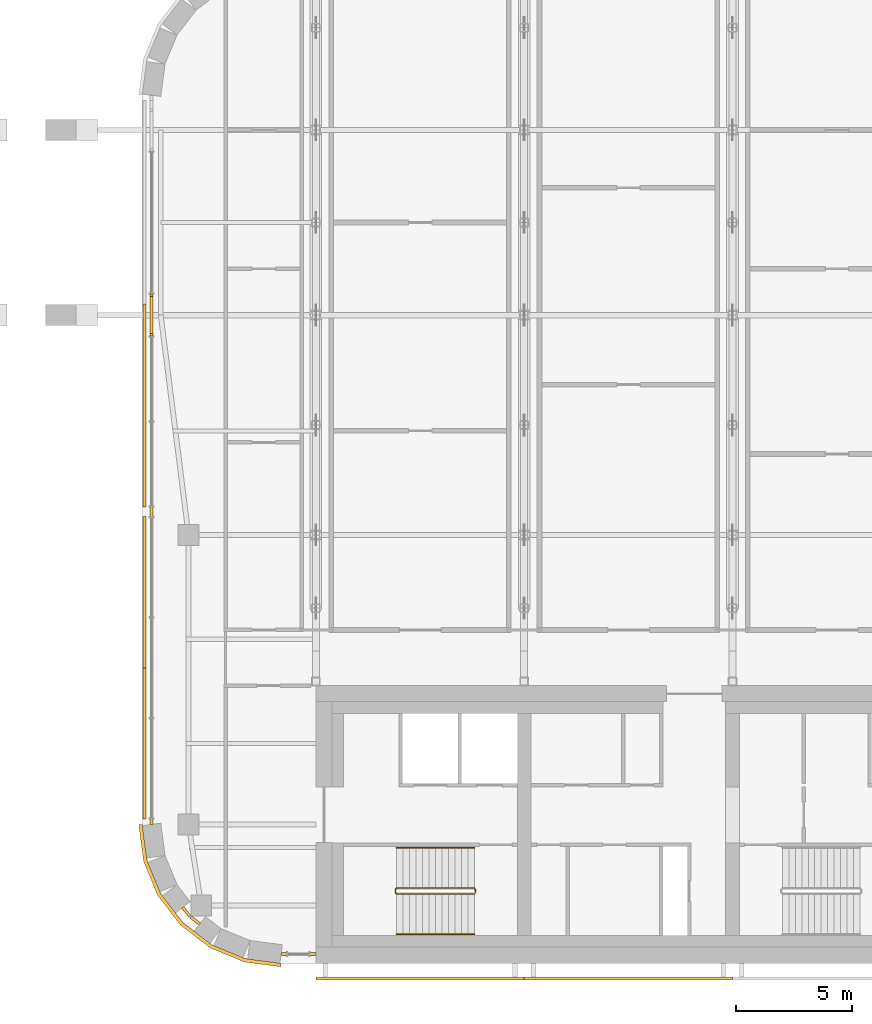
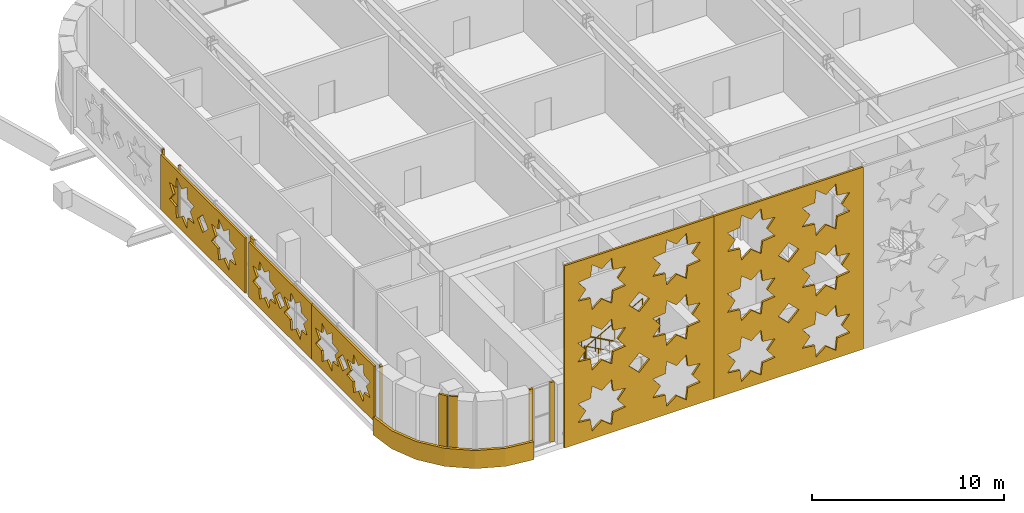
# One storey, part 21 of 26: 15 coverings, 3 railings.
"""IFC4 building model written with IfcOpenShell, lengths in metres."""

from ifc_helpers import new_model, si_unit, direction, frame, origin, origin_2d, place, context, subcontext, project, spatial, polyline, rectangle, circle, outline, extrude, material, layer, layer_set, type_object, element, save


model = new_model("IFC4")

# Units and contexts
model_context = context("Model", 3, precision=1e-05, world=origin(), true_north=direction((0.0, 1.0)))
body_context = subcontext(model_context, "Body", "Model", "MODEL_VIEW")
ifc_project = project(units=[si_unit("LENGTHUNIT", "METRE"), si_unit("AREAUNIT", "SQUARE_METRE"), si_unit("VOLUMEUNIT", "CUBIC_METRE"), si_unit("PLANEANGLEUNIT", "RADIAN"), si_unit("MASSUNIT", "GRAM", prefix="KILO")], contexts=[model_context])

# Site, building, storey
site_placement = place(None, origin())
site = spatial("IfcSite", under=ifc_project, at=site_placement, CompositionType="ELEMENT")
building_placement = place(site_placement, origin())
building = spatial("IfcBuilding", under=site, at=building_placement, Name="Zellij Exchange Tower", CompositionType="ELEMENT")
storey_placement = place(building_placement, frame((0.0, 0.0, 216.5)))
storey = spatial("IfcBuildingStorey", under=building, at=storey_placement, Name="L50", CompositionType="ELEMENT", Elevation=216.5)

# Railings
ifc_material_1 = material(Name="Stainless steel", Category="steel")
railing_type_1 = type_object("IfcRailingType", Name="CORE-RG stair guard", PredefinedType="GUARDRAIL", material=ifc_material_1)
railing_1_placement = place(storey_placement, frame((-20.10009765625, -10.800048828125, 0.0)))
element("IfcRailing", 1, at=railing_1_placement, inside=storey, type_object=railing_type_1, Name="ST1 stair guard L50", PredefinedType="GUARDRAIL", context=body_context, shape_type="SweptSolid", body=[
    extrude(circle(Radius=0.02392578125, at=origin_2d()), frame((0.0, 0.0, 1.076171875), z_axis=(0.0, -1.0, 0.0), x_axis=(1.0, 0.0, 0.0)), (0.0, 0.0, 1.0), 0.14990234375),
    extrude(circle(Radius=0.02392578125, at=origin_2d()), frame((0.0, -0.14990234375, 1.076171875), z_axis=(-0.193691321961, 0.777613689637, 0.598164376644), x_axis=(-0.970351222016, -0.241699205484, 0.0)), (0.0, 0.0, 1.0), 0.257080078125),
    extrude(circle(Radius=0.02392578125, at=origin_2d()), frame((-0.0498046875, 0.050048828125, 1.22998046875), z_axis=(-0.876421534553, 0.0, 0.481544695509), x_axis=(0.0, -1.0, 0.0)), (0.0, 0.0, 1.0), 3.833984375),
    extrude(circle(Radius=0.02392578125, at=origin_2d()), frame((-3.409912109375, 0.050048828125, 3.076171875), z_axis=(-0.707106781187, -0.707106781187, 0.0), x_axis=(0.707106781187, -0.707106781187, 0.0)), (0.0, 0.0, 1.0), 0.07080078125),
    extrude(circle(Radius=0.02392578125, at=origin_2d()), frame((-3.4599609375, 0.0, 3.076171875), z_axis=(0.0, -1.0, 0.0), x_axis=(1.0, 0.0, 0.0)), (0.0, 0.0, 1.0), 0.14990234375),
    extrude(circle(Radius=0.02392578125, at=origin_2d()), frame((-3.4599609375, -0.14990234375, 3.076171875), z_axis=(0.295599637079, -0.295599637079, 0.908428152975), x_axis=(0.707106781187, 0.707106781187, 0.0)), (0.0, 0.0, 1.0), 0.16943359375),
    extrude(circle(Radius=0.02392578125, at=origin_2d()), frame((-3.409912109375, -0.199951171875, 3.22998046875), z_axis=(0.876421534553, 0.0, 0.481544695509), x_axis=(0.0, 1.0, 0.0)), (0.0, 0.0, 1.0), 3.833984375),
    extrude(circle(Radius=0.02099609375, at=origin_2d()), origin(), (0.0, 0.0, 1.0), 1.052001953125),
    extrude(circle(Radius=0.02099609375, at=origin_2d()), frame((0.0, -0.14990234375, 0.0)), (0.0, 0.0, 1.0), 1.052001953125),
    extrude(circle(Radius=0.02099609375, at=origin_2d()), frame((-0.0498046875, 0.050048828125, 0.15380859375)), (0.0, 0.0, 1.0), 1.052001953125),
    extrude(circle(Radius=0.02099609375, at=origin_2d()), frame((-0.889892578125, 0.050048828125, 0.615234375)), (0.0, 0.0, 1.0), 1.052001953125),
    extrude(circle(Radius=0.02099609375, at=origin_2d()), frame((-1.72998046875, 0.050048828125, 1.076904296875)), (0.0, 0.0, 1.0), 1.052001953125),
    extrude(circle(Radius=0.02099609375, at=origin_2d()), frame((-2.56982421875, 0.050048828125, 1.53857421875)), (0.0, 0.0, 1.0), 1.052001953125),
    extrude(circle(Radius=0.02099609375, at=origin_2d()), frame((-3.409912109375, 0.050048828125, 2.0)), (0.0, 0.0, 1.0), 1.052001953125),
    extrude(circle(Radius=0.02099609375, at=origin_2d()), frame((-3.4599609375, 0.0, 2.0)), (0.0, 0.0, 1.0), 1.052001953125),
    extrude(circle(Radius=0.02099609375, at=origin_2d()), frame((-3.4599609375, -0.14990234375, 2.0)), (0.0, 0.0, 1.0), 1.052001953125),
    extrude(circle(Radius=0.02099609375, at=origin_2d()), frame((-3.409912109375, -0.199951171875, 2.15380859375)), (0.0, 0.0, 1.0), 1.052001953125),
    extrude(circle(Radius=0.02099609375, at=origin_2d()), frame((-2.56982421875, -0.199951171875, 2.615234375)), (0.0, 0.0, 1.0), 1.052001953125),
    extrude(circle(Radius=0.02099609375, at=origin_2d()), frame((-1.72998046875, -0.199951171875, 3.076904296875)), (0.0, 0.0, 1.0), 1.052001953125),
    extrude(circle(Radius=0.02099609375, at=origin_2d()), frame((-0.889892578125, -0.199951171875, 3.53857421875)), (0.0, 0.0, 1.0), 1.052001953125),
    extrude(circle(Radius=0.02099609375, at=origin_2d()), frame((-0.0498046875, -0.199951171875, 4.0)), (0.0, 0.0, 1.0), 1.052001953125),
])
railing_type_2 = type_object("IfcRailingType", Name="CORE-RH stair handrail", PredefinedType="HANDRAIL", material=ifc_material_1)
railing_2_placement = place(storey_placement, frame((-20.14990234375, -9.0, 0.15380859375)))
element("IfcRailing", 2, at=railing_2_placement, inside=storey, type_object=railing_type_2, Name="ST1 stair handrail L50", PredefinedType="HANDRAIL", context=body_context, shape_type="SweptSolid", body=[
    extrude(circle(Radius=0.02392578125, at=origin_2d()), frame((0.0, 0.0, 0.8759765625), z_axis=(-0.876421534553, 0.0, 0.481544695509), x_axis=(0.0, -1.0, 0.0)), (0.0, 0.0, 1.0), 3.833984375),
    extrude(circle(Radius=0.02099609375, at=origin_2d()), origin(), (0.0, 0.0, 1.0), 0.851806640625),
    extrude(circle(Radius=0.02099609375, at=origin_2d()), frame((-0.840087890625, 0.0, 0.46142578125)), (0.0, 0.0, 1.0), 0.851806640625),
    extrude(circle(Radius=0.02099609375, at=origin_2d()), frame((-1.68017578125, 0.0, 0.923095703125)), (0.0, 0.0, 1.0), 0.851806640625),
    extrude(circle(Radius=0.02099609375, at=origin_2d()), frame((-2.52001953125, 0.0, 1.384765625)), (0.0, 0.0, 1.0), 0.851806640625),
    extrude(circle(Radius=0.02099609375, at=origin_2d()), frame((-3.360107421875, 0.0, 1.84619140625)), (0.0, 0.0, 1.0), 0.851806640625),
])
railing_3_placement = place(storey_placement, frame((-23.510009765625, -12.75, 2.15380859375)))
element("IfcRailing", 3, at=railing_3_placement, inside=storey, type_object=railing_type_2, Name="ST1 stair handrail L50", PredefinedType="HANDRAIL", context=body_context, shape_type="SweptSolid", body=[
    extrude(circle(Radius=0.02392578125, at=origin_2d()), frame((0.0, 0.0, 0.8759765625), z_axis=(0.876421534553, 0.0, 0.481544695509), x_axis=(0.0, 1.0, 0.0)), (0.0, 0.0, 1.0), 3.833984375),
    extrude(circle(Radius=0.02099609375, at=origin_2d()), origin(), (0.0, 0.0, 1.0), 0.851806640625),
    extrude(circle(Radius=0.02099609375, at=origin_2d()), frame((0.840087890625, 0.0, 0.46142578125)), (0.0, 0.0, 1.0), 0.851806640625),
    extrude(circle(Radius=0.02099609375, at=origin_2d()), frame((1.68017578125, 0.0, 0.923095703125)), (0.0, 0.0, 1.0), 0.851806640625),
    extrude(circle(Radius=0.02099609375, at=origin_2d()), frame((2.52001953125, 0.0, 1.384765625)), (0.0, 0.0, 1.0), 0.851806640625),
    extrude(circle(Radius=0.02099609375, at=origin_2d()), frame((3.360107421875, 0.0, 1.84619140625)), (0.0, 0.0, 1.0), 0.851806640625),
])

# Coverings
ifc_material_2 = material(Name="Limestone cladding", Category="masonry")
ifc_layer_1 = layer(ifc_material_2, 0.14990234375)
ifc_layer_set_1 = layer_set([ifc_layer_1], Name="Limestone cladding")
covering_type_1 = type_object("IfcCoveringType", Name="ENV-CV1 Stone spandrel band 150", PredefinedType="CLADDING", material=ifc_layer_set_1)
covering_1_placement = place(storey_placement, frame((0.0, 0.0, -0.35009765625)))
element("IfcCovering", 4, at=covering_1_placement, inside=storey, type_object=covering_type_1, Name="Stone spandrel band", PredefinedType="CLADDING", context=body_context, shape_type="SweptSolid", body=[
    extrude(outline(polyline([(-34.5, -8.0), (-34.295654296875, -9.552978515625), (-33.6962890625, -11.0), (-32.74267578125, -12.24267578125), (-31.5, -13.1962890625), (-30.052978515625, -13.795654296875), (-28.5, -14.0), (-28.509765625, -14.14990234375), (-30.092041015625, -13.941650390625), (-31.57568359375, -13.3271484375), (-32.849609375, -12.349609375), (-33.8271484375, -11.07568359375), (-34.441650390625, -9.592041015625), (-34.64990234375, -8.009765625), (-34.5, -8.0)])), origin(), (0.0, 0.0, 1.0), 1.150146484375),
])
ifc_layer_2 = layer(ifc_material_2, 0.1201171875)
ifc_layer_set_2 = layer_set([ifc_layer_2], Name="Limestone cladding")
covering_type_2 = type_object("IfcCoveringType", Name="ENV-CV18 Glazing closer 120", PredefinedType="CLADDING", material=ifc_layer_set_2)
covering_2_placement = place(storey_placement, frame((-34.10009765625, 14.0, 0.0), z_axis=(0.0, 0.0, 1.0), x_axis=(0.0, -1.0, 0.0)))
element("IfcCovering", 5, at=covering_2_placement, inside=storey, type_object=covering_type_2, Name="Glazing closer", PredefinedType="CLADDING", context=body_context, shape_type="SweptSolid", body=[
    extrude(rectangle(XDim=1.60009765625, YDim=0.1201171875, at=origin_2d()), origin(), (0.0, 0.0, 1.0), 2.389892578125),
])
for number, where, z_axis, x_axis, name in (
    (6, (-32.59765625, -11.7744140625, 0.0), (0.0, 0.0, 1.0), (0.608809891071, -0.793316151692, 0.0), "Glazing closer"),
    (7, (-32.209228515625, -12.147705078125, 0.0), (0.0, 0.0, 1.0), (-0.793316151692, 0.608809891071, 0.0), "Glazing closer"),
):
    element("IfcCovering", number, at=place(storey_placement, frame(where, z_axis=z_axis, x_axis=x_axis)), inside=storey, type_object=covering_type_2, Name=name, PredefinedType="CLADDING", context=body_context, shape_type="SweptSolid", body=[
        extrude(rectangle(XDim=0.492919921875, YDim=0.1201171875, at=origin_2d()), origin(), (0.0, 0.0, 1.0), 3.800048828125),
    ])
covering_3_placement = place(storey_placement, frame((-34.10009765625, 5.50390625, 0.0), z_axis=(0.0, 0.0, 1.0), x_axis=(0.0, -1.0, 0.0)))
element("IfcCovering", 8, at=covering_3_placement, inside=storey, type_object=covering_type_2, Name="Glazing closer", PredefinedType="CLADDING", context=body_context, shape_type="SweptSolid", body=[
    extrude(rectangle(XDim=0.39990234375, YDim=0.1201171875, at=origin_2d()), origin(), (0.0, 0.0, 1.0), 3.800048828125),
])
covering_4_placement = place(storey_placement, frame((-27.125, -13.60009765625, 0.0), z_axis=(0.0, 0.0, 1.0), x_axis=(1.0, 0.0, 0.0)))
element("IfcCovering", 9, at=covering_4_placement, inside=storey, type_object=covering_type_2, Name="Glazing closer", PredefinedType="CLADDING", context=body_context, shape_type="SweptSolid", body=[
    extrude(rectangle(XDim=0.25, YDim=0.1201171875, at=origin_2d()), origin(), (0.0, 0.0, 1.0), 3.800048828125),
])
for number, where, z_axis, x_axis, name in (
    (10, (-28.383056640625, -13.60009765625, 0.0), (0.0, 0.0, 1.0), (-1.0, 0.0, 0.0), "Glazing closer"),
    (11, (-34.10009765625, -7.883056640625, 0.0), (0.0, 0.0, 1.0), (0.0, -1.0, 0.0), "Glazing closer"),
):
    element("IfcCovering", number, at=place(storey_placement, frame(where, z_axis=z_axis, x_axis=x_axis)), inside=storey, type_object=covering_type_2, Name=name, PredefinedType="CLADDING", context=body_context, shape_type="SweptSolid", body=[
        extrude(rectangle(XDim=0.218505859375, YDim=0.1201171875, at=origin_2d()), origin(), (0.0, 0.0, 1.0), 3.800048828125),
    ])
for number, where, z_axis, x_axis, name in (
    (12, (-34.10009765625, 14.85009765625, 0.0), (0.0, 0.0, 1.0), (0.0, -1.0, 0.0), "Glazing closer"),
    (13, (-34.10009765625, 13.14990234375, 0.0), (0.0, 0.0, 1.0), (0.0, -1.0, 0.0), "Glazing closer"),
):
    element("IfcCovering", number, at=place(storey_placement, frame(where, z_axis=z_axis, x_axis=x_axis)), inside=storey, type_object=covering_type_2, Name=name, PredefinedType="CLADDING", context=body_context, shape_type="SweptSolid", body=[
        extrude(rectangle(XDim=0.10009765625, YDim=0.1201171875, at=origin_2d()), origin(), (0.0, 0.0, 1.0), 3.800048828125),
    ])
ifc_material_3 = material(Name="Limestone screen", Category="masonry")
ifc_layer_3 = layer(ifc_material_3, 0.1201171875)
ifc_layer_set_3 = layer_set([ifc_layer_3], Name="Limestone screen")
covering_type_3 = type_object("IfcCoveringType", Name="ENV-SC1 Pierced stone screen 120", PredefinedType="USERDEFINED", material=ifc_layer_set_3)
covering_5_placement = place(storey_placement, frame((-34.39990234375, 14.48876953125, 0.300048828125), z_axis=(0.0, 0.0, 1.0), x_axis=(0.0, -1.0, 0.0)))
element("IfcCovering", 14, at=covering_5_placement, inside=storey, type_object=covering_type_3, Name="Pierced stone screen", ObjectType="SCREEN", PredefinedType="USERDEFINED", context=body_context, shape_type="SweptSolid", body=[
    extrude(outline(polyline([(0.0, 0.0), (8.784912109375, 0.0), (8.784912109375, 3.5), (0.0, 3.5), (0.0, 0.0)]), holes=[polyline([(3.48974609375, 2.285888671875), (2.81005859375, 2.36376953125), (2.73193359375, 3.04345703125), (2.1962890625, 2.617919921875), (1.660400390625, 3.04345703125), (1.58251953125, 2.36376953125), (0.90283203125, 2.285888671875), (1.328369140625, 1.75), (0.90283203125, 1.214111328125), (1.58251953125, 1.13623046875), (1.660400390625, 0.45654296875), (2.1962890625, 0.882080078125), (2.73193359375, 0.45654296875), (2.81005859375, 1.13623046875), (3.48974609375, 1.214111328125), (3.064208984375, 1.75), (3.48974609375, 2.285888671875)]), polyline([(7.882080078125, 2.285888671875), (7.202392578125, 2.36376953125), (7.12451171875, 3.04345703125), (6.5888671875, 2.617919921875), (6.052978515625, 3.04345703125), (5.97509765625, 2.36376953125), (5.29541015625, 2.285888671875), (5.720703125, 1.75), (5.29541015625, 1.214111328125), (5.97509765625, 1.13623046875), (6.052978515625, 0.45654296875), (6.5888671875, 0.882080078125), (7.12451171875, 0.45654296875), (7.202392578125, 1.13623046875), (7.882080078125, 1.214111328125), (7.456787109375, 1.75), (7.882080078125, 2.285888671875)]), polyline([(4.952392578125, 1.75), (4.392578125, 2.31005859375), (3.83251953125, 1.75), (4.392578125, 1.18994140625), (4.952392578125, 1.75)])]), frame((0.0, 0.06005859375, 0.0), z_axis=(0.0, -1.0, 0.0), x_axis=(1.0, 0.0, 0.0)), (0.0, 0.0, 1.0), 0.1201171875),
])
for number, where, z_axis, x_axis, name in (
    (15, (-34.39990234375, 5.3037109375, 0.300048828125), (0.0, 0.0, 1.0), (0.0, -1.0, 0.0), "Pierced stone screen"),
    (16, (-34.39990234375, -1.235107421875, 0.300048828125), (0.0, 0.0, 1.0), (0.0, -1.0, 0.0), "Pierced stone screen"),
):
    element("IfcCovering", number, at=place(storey_placement, frame(where, z_axis=z_axis, x_axis=x_axis)), inside=storey, type_object=covering_type_3, Name=name, ObjectType="SCREEN", PredefinedType="USERDEFINED", context=body_context, shape_type="SweptSolid", body=[
        extrude(outline(polyline([(0.0, 0.0), (6.538818359375, 0.0), (6.538818359375, 3.5), (0.0, 3.5), (0.0, 0.0)]), holes=[polyline([(2.843017578125, 2.25048828125), (2.2080078125, 2.3232421875), (2.13525390625, 2.958251953125), (1.634765625, 2.560791015625), (1.13427734375, 2.958251953125), (1.061279296875, 2.3232421875), (0.426513671875, 2.25048828125), (0.823974609375, 1.75), (0.426513671875, 1.24951171875), (1.061279296875, 1.1767578125), (1.13427734375, 0.541748046875), (1.634765625, 0.939208984375), (2.13525390625, 0.541748046875), (2.2080078125, 1.1767578125), (2.843017578125, 1.24951171875), (2.445556640625, 1.75), (2.843017578125, 2.25048828125)]), polyline([(6.1123046875, 2.25048828125), (5.477294921875, 2.3232421875), (5.404541015625, 2.958251953125), (4.904052734375, 2.560791015625), (4.403564453125, 2.958251953125), (4.330810546875, 2.3232421875), (3.69580078125, 2.25048828125), (4.09326171875, 1.75), (3.69580078125, 1.24951171875), (4.330810546875, 1.1767578125), (4.403564453125, 0.541748046875), (4.904052734375, 0.939208984375), (5.404541015625, 0.541748046875), (5.477294921875, 1.1767578125), (6.1123046875, 1.24951171875), (5.71484375, 1.75), (6.1123046875, 2.25048828125)]), polyline([(3.79248046875, 1.75), (3.269287109375, 2.273193359375), (2.746337890625, 1.75), (3.269287109375, 1.226806640625), (3.79248046875, 1.75)])]), frame((0.0, 0.06005859375, 0.0), z_axis=(0.0, -1.0, 0.0), x_axis=(1.0, 0.0, 0.0)), (0.0, 0.0, 1.0), 0.1201171875),
    ])
ifc_layer_4 = layer(ifc_material_3, 0.1201171875)
ifc_layer_set_4 = layer_set([ifc_layer_4], Name="Limestone screen")
covering_type_4 = type_object("IfcCoveringType", Name="ENV-SC5 Pierced stone relief 120", PredefinedType="USERDEFINED", material=ifc_layer_set_4)
covering_6_placement = place(storey_placement, frame((-27.0, -14.659912109375, 0.199951171875), z_axis=(0.0, 0.0, 1.0), x_axis=(1.0, 0.0, 0.0)))
element("IfcCovering", 17, at=covering_6_placement, inside=storey, type_object=covering_type_4, Name="Pierced stone relief", ObjectType="SCREEN", PredefinedType="USERDEFINED", context=body_context, shape_type="SweptSolid", body=[
    extrude(outline(polyline([(0.0, 0.0), (9.0, 0.0), (9.0, 11.60009765625), (0.0, 11.60009765625), (0.0, 0.0)]), holes=[polyline([(3.678955078125, 2.525146484375), (2.927978515625, 2.611328125), (2.841796875, 3.3623046875), (2.25, 2.892333984375), (1.658203125, 3.3623046875), (1.572021484375, 2.611328125), (0.821044921875, 2.525146484375), (1.291015625, 1.933349609375), (0.821044921875, 1.34130859375), (1.572021484375, 1.25537109375), (1.658203125, 0.50439453125), (2.25, 0.974365234375), (2.841796875, 0.50439453125), (2.927978515625, 1.25537109375), (3.678955078125, 1.34130859375), (3.208984375, 1.933349609375), (3.678955078125, 2.525146484375)]), polyline([(3.678955078125, 6.391845703125), (2.927978515625, 6.47802734375), (2.841796875, 7.22900390625), (2.25, 6.7587890625), (1.658203125, 7.22900390625), (1.572021484375, 6.47802734375), (0.821044921875, 6.391845703125), (1.291015625, 5.800048828125), (0.821044921875, 5.2080078125), (1.572021484375, 5.121826171875), (1.658203125, 4.37109375), (2.25, 4.841064453125), (2.841796875, 4.37109375), (2.927978515625, 5.121826171875), (3.678955078125, 5.2080078125), (3.208984375, 5.800048828125), (3.678955078125, 6.391845703125)]), polyline([(3.678955078125, 10.258544921875), (2.927978515625, 10.3447265625), (2.841796875, 11.095703125), (2.25, 10.62548828125), (1.658203125, 11.095703125), (1.572021484375, 10.3447265625), (0.821044921875, 10.258544921875), (1.291015625, 9.666748046875), (0.821044921875, 9.07470703125), (1.572021484375, 8.988525390625), (1.658203125, 8.23779296875), (2.25, 8.707763671875), (2.841796875, 8.23779296875), (2.927978515625, 8.988525390625), (3.678955078125, 9.07470703125), (3.208984375, 9.666748046875), (3.678955078125, 10.258544921875)]), polyline([(8.178955078125, 2.525146484375), (7.427978515625, 2.611328125), (7.341796875, 3.3623046875), (6.75, 2.892333984375), (6.158203125, 3.3623046875), (6.072021484375, 2.611328125), (5.321044921875, 2.525146484375), (5.791015625, 1.933349609375), (5.321044921875, 1.34130859375), (6.072021484375, 1.25537109375), (6.158203125, 0.50439453125), (6.75, 0.974365234375), (7.341796875, 0.50439453125), (7.427978515625, 1.25537109375), (8.178955078125, 1.34130859375), (7.708984375, 1.933349609375), (8.178955078125, 2.525146484375)]), polyline([(8.178955078125, 6.391845703125), (7.427978515625, 6.47802734375), (7.341796875, 7.22900390625), (6.75, 6.7587890625), (6.158203125, 7.22900390625), (6.072021484375, 6.47802734375), (5.321044921875, 6.391845703125), (5.791015625, 5.800048828125), (5.321044921875, 5.2080078125), (6.072021484375, 5.121826171875), (6.158203125, 4.37109375), (6.75, 4.841064453125), (7.341796875, 4.37109375), (7.427978515625, 5.121826171875), (8.178955078125, 5.2080078125), (7.708984375, 5.800048828125), (8.178955078125, 6.391845703125)]), polyline([(8.178955078125, 10.258544921875), (7.427978515625, 10.3447265625), (7.341796875, 11.095703125), (6.75, 10.62548828125), (6.158203125, 11.095703125), (6.072021484375, 10.3447265625), (5.321044921875, 10.258544921875), (5.791015625, 9.666748046875), (5.321044921875, 9.07470703125), (6.072021484375, 8.988525390625), (6.158203125, 8.23779296875), (6.75, 8.707763671875), (7.341796875, 8.23779296875), (7.427978515625, 8.988525390625), (8.178955078125, 9.07470703125), (7.708984375, 9.666748046875), (8.178955078125, 10.258544921875)]), polyline([(5.11865234375, 3.86669921875), (4.5, 4.4853515625), (3.88134765625, 3.86669921875), (4.5, 3.248046875), (5.11865234375, 3.86669921875)]), polyline([(5.11865234375, 7.7333984375), (4.5, 8.35205078125), (3.88134765625, 7.7333984375), (4.5, 7.11474609375), (5.11865234375, 7.7333984375)])]), frame((0.0, 0.06005859375, 0.0), z_axis=(0.0, -1.0, 0.0), x_axis=(1.0, 0.0, 0.0)), (0.0, 0.0, 1.0), 0.1201171875),
])
covering_7_placement = place(storey_placement, frame((-18.0, -14.659912109375, 0.199951171875), z_axis=(0.0, 0.0, 1.0), x_axis=(1.0, 0.0, 0.0)))
element("IfcCovering", 18, at=covering_7_placement, inside=storey, type_object=covering_type_4, Name="Pierced stone relief", ObjectType="SCREEN", PredefinedType="USERDEFINED", context=body_context, shape_type="SweptSolid", body=[
    extrude(outline(polyline([(0.0, 0.0), (9.0, 0.0), (9.0, 11.60009765625), (0.0, 11.60009765625), (0.0, 0.0)]), holes=[polyline([(3.678955078125, 2.525146484375), (2.927978515625, 2.611328125), (2.841796875, 3.3623046875), (2.25, 2.892333984375), (1.658203125, 3.3623046875), (1.572021484375, 2.611328125), (0.821044921875, 2.525146484375), (1.291015625, 1.933349609375), (0.821044921875, 1.34130859375), (1.572021484375, 1.25537109375), (1.658203125, 0.50439453125), (2.25, 0.974365234375), (2.841796875, 0.50439453125), (2.927978515625, 1.25537109375), (3.678955078125, 1.34130859375), (3.208984375, 1.933349609375), (3.678955078125, 2.525146484375)]), polyline([(3.678955078125, 6.391845703125), (2.927978515625, 6.47802734375), (2.841796875, 7.22900390625), (2.25, 6.7587890625), (1.658203125, 7.22900390625), (1.572021484375, 6.47802734375), (0.821044921875, 6.391845703125), (1.291015625, 5.800048828125), (0.821044921875, 5.2080078125), (1.572021484375, 5.121826171875), (1.658203125, 4.37109375), (2.25, 4.841064453125), (2.841796875, 4.37109375), (2.927978515625, 5.121826171875), (3.678955078125, 5.2080078125), (3.208984375, 5.800048828125), (3.678955078125, 6.391845703125)]), polyline([(3.678955078125, 10.258544921875), (2.927978515625, 10.3447265625), (2.841796875, 11.095703125), (2.25, 10.62548828125), (1.658203125, 11.095703125), (1.572021484375, 10.3447265625), (0.821044921875, 10.258544921875), (1.291015625, 9.666748046875), (0.821044921875, 9.07470703125), (1.572021484375, 8.988525390625), (1.658203125, 8.23779296875), (2.25, 8.707763671875), (2.841796875, 8.23779296875), (2.927978515625, 8.988525390625), (3.678955078125, 9.07470703125), (3.208984375, 9.666748046875), (3.678955078125, 10.258544921875)]), polyline([(8.178955078125, 2.525146484375), (7.427978515625, 2.611328125), (7.341796875, 3.3623046875), (6.75, 2.892333984375), (6.158203125, 3.3623046875), (6.072021484375, 2.611328125), (5.321044921875, 2.525146484375), (5.791015625, 1.933349609375), (5.321044921875, 1.34130859375), (6.072021484375, 1.25537109375), (6.158203125, 0.50439453125), (6.75, 0.974365234375), (7.341796875, 0.50439453125), (7.427978515625, 1.25537109375), (8.178955078125, 1.34130859375), (7.708984375, 1.933349609375), (8.178955078125, 2.525146484375)]), polyline([(8.178955078125, 6.391845703125), (7.427978515625, 6.47802734375), (7.341796875, 7.22900390625), (6.75, 6.7587890625), (6.158203125, 7.22900390625), (6.072021484375, 6.47802734375), (5.321044921875, 6.391845703125), (5.791015625, 5.800048828125), (5.321044921875, 5.2080078125), (6.072021484375, 5.121826171875), (6.158203125, 4.37109375), (6.75, 4.841064453125), (7.341796875, 4.37109375), (7.427978515625, 5.121826171875), (8.178955078125, 5.2080078125), (7.708984375, 5.800048828125), (8.178955078125, 6.391845703125)]), polyline([(8.178955078125, 10.258544921875), (7.427978515625, 10.3447265625), (7.341796875, 11.095703125), (6.75, 10.62548828125), (6.158203125, 11.095703125), (6.072021484375, 10.3447265625), (5.321044921875, 10.258544921875), (5.791015625, 9.666748046875), (5.321044921875, 9.07470703125), (6.072021484375, 8.988525390625), (6.158203125, 8.23779296875), (6.75, 8.707763671875), (7.341796875, 8.23779296875), (7.427978515625, 8.988525390625), (8.178955078125, 9.07470703125), (7.708984375, 9.666748046875), (8.178955078125, 10.258544921875)]), polyline([(5.11865234375, 3.86669921875), (4.5, 4.4853515625), (3.88134765625, 3.86669921875), (4.5, 3.248046875), (5.11865234375, 3.86669921875)]), polyline([(5.11865234375, 7.7333984375), (4.5, 8.35205078125), (3.88134765625, 7.7333984375), (4.5, 7.11474609375), (5.11865234375, 7.7333984375)])]), frame((0.0, 0.06005859375, 0.0), z_axis=(0.0, -1.0, 0.0), x_axis=(1.0, 0.0, 0.0)), (0.0, 0.0, 1.0), 0.1201171875),
])

save(model, "model.ifc")
